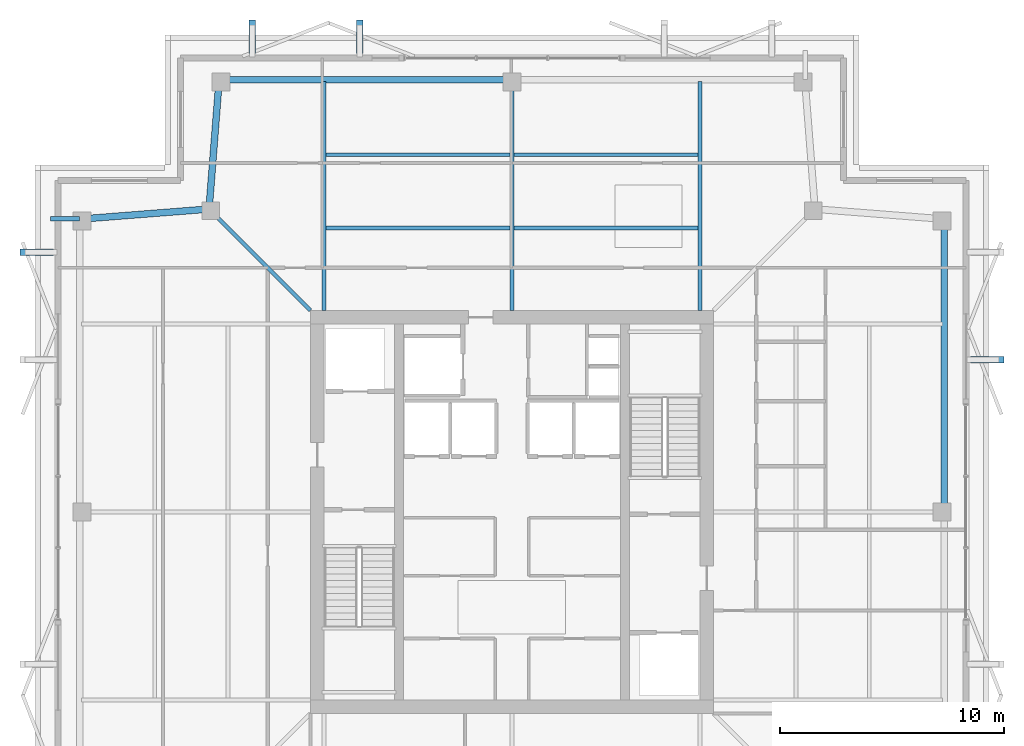
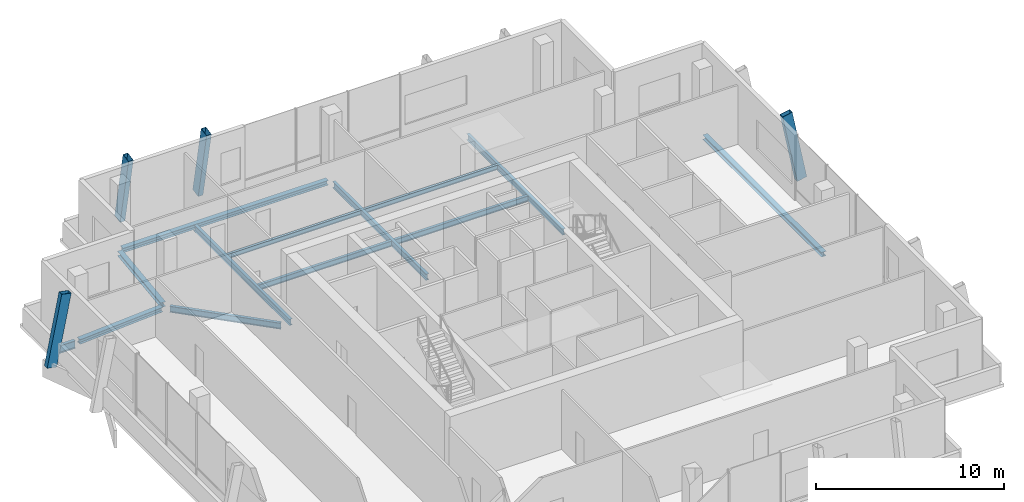
# One storey, part 9 of 17: 13 beams, 4 members.
"""IFC4 building model written with IfcOpenShell, lengths in metres."""

from ifc_helpers import new_model, si_unit, direction, frame, origin, origin_2d, place, context, subcontext, project, spatial, hollow_rectangle, i_section, extrude, material, material_profile, profile_set, type_object, element, save


model = new_model("IFC4")

# Units and contexts
model_context = context("Model", 3, precision=1e-05, world=origin(), true_north=direction((0.0, 1.0)))
body_context = subcontext(model_context, "Body", "Model", "MODEL_VIEW")
ifc_project = project(units=[si_unit("LENGTHUNIT", "METRE"), si_unit("AREAUNIT", "SQUARE_METRE"), si_unit("VOLUMEUNIT", "CUBIC_METRE"), si_unit("PLANEANGLEUNIT", "RADIAN"), si_unit("MASSUNIT", "GRAM", prefix="KILO")], contexts=[model_context])

# Site, building, storey
site_placement = place(None, origin())
site = spatial("IfcSite", under=ifc_project, at=site_placement, CompositionType="ELEMENT")
building_placement = place(site_placement, origin())
building = spatial("IfcBuilding", under=site, at=building_placement, Name="Belovzor Exchange Tower", CompositionType="ELEMENT")
storey_placement = place(building_placement, frame((0.0, 0.0, 355.5)))
storey = spatial("IfcBuildingStorey", under=building, at=storey_placement, Name="L89", CompositionType="ELEMENT", Elevation=355.5)

# Beams
ifc_material_1 = material(Name="Steel S355", Category="steel")
ifc_material_profile_1 = material_profile(ifc_material_1, i_section(OverallWidth=0.199951171875, OverallDepth=0.5, WebThickness=0.01025390625, FlangeThickness=0.01611328125, at=origin_2d()))
ifc_profile_set_1 = profile_set([ifc_material_profile_1], Name="Steel S355")
beam_type_1 = type_object("IfcBeamType", Name="Planted Balcony Cantilever Beam IPE 500", PredefinedType="BEAM", material=ifc_profile_set_1)
beam_1_placement = place(storey_placement, frame((9.47802734375, 41.89501953125, -0.510009765625), z_axis=(-1.0, 0.0, 0.0), x_axis=(0.0, -1.0, 0.0)))
element("IfcBeam", 1, at=beam_1_placement, inside=storey, type_object=beam_type_1, Name="BC-500 Planted Balcony Cantilever Beam IPE 500", PredefinedType="BEAM", context=body_context, shape_type="SweptSolid", body=[
    extrude(i_section(OverallWidth=0.199951171875, OverallDepth=0.5, WebThickness=0.01025390625, FlangeThickness=0.01611328125, at=origin_2d()), origin(), (0.0, 0.0, 1.0), 1.278076171875),
])
ifc_material_2 = material(Name="Steel S355", Category="steel")
ifc_material_profile_2 = material_profile(ifc_material_2, i_section(OverallWidth=0.169921875, OverallDepth=0.360107421875, WebThickness=0.008056640625, FlangeThickness=0.0126953125, at=origin_2d()))
ifc_profile_set_2 = profile_set([ifc_material_profile_2], Name="Steel S355")
beam_type_2 = type_object("IfcBeamType", Name="Secondary Infill Floor Joist IPE 360", PredefinedType="BEAM", material=ifc_profile_set_2)
beam_2_placement = place(storey_placement, frame((20.489990234375, 41.47998046875, -0.43994140625), z_axis=(1.0, 0.0, 0.0), x_axis=(0.0, 1.0, 0.0)))
element("IfcBeam", 2, at=beam_2_placement, inside=storey, type_object=beam_type_2, Name="FJ-360 Secondary Infill Floor Joist IPE 360", PredefinedType="BEAM", context=body_context, shape_type="SweptSolid", body=[
    extrude(i_section(OverallWidth=0.169921875, OverallDepth=0.360107421875, WebThickness=0.008056640625, FlangeThickness=0.0126953125, at=origin_2d()), origin(), (0.0, 0.0, 1.0), 8.219970703125),
])
beam_3_placement = place(storey_placement, frame((28.889892578125, 41.47998046875, -0.43994140625), z_axis=(1.0, 0.0, 0.0), x_axis=(0.0, 1.0, 0.0)))
element("IfcBeam", 3, at=beam_3_placement, inside=storey, type_object=beam_type_2, Name="FJ-360 Secondary Infill Floor Joist IPE 360", PredefinedType="BEAM", context=body_context, shape_type="SweptSolid", body=[
    extrude(i_section(OverallWidth=0.169921875, OverallDepth=0.360107421875, WebThickness=0.008056640625, FlangeThickness=0.0126953125, at=origin_2d()), origin(), (0.0, 0.0, 1.0), 8.22021484375),
])
ifc_material_3 = material(Name="Steel S355", Category="steel")
ifc_material_profile_3 = material_profile(ifc_material_3, i_section(OverallWidth=0.14990234375, OverallDepth=0.300048828125, WebThickness=0.007080078125, FlangeThickness=0.0107421875, at=origin_2d()))
ifc_profile_set_3 = profile_set([ifc_material_profile_3], Name="Steel S355")
beam_type_3 = type_object("IfcBeamType", Name="Secondary Trim Floor Joist IPE 300", PredefinedType="BEAM", material=ifc_profile_set_3)
beam_4_placement = place(storey_placement, frame((20.489990234375, 44.751953125, -0.409912109375), z_axis=(1.0, 0.0, 0.0), x_axis=(0.0, 1.0, 0.0)))
element("IfcBeam", 4, at=beam_4_placement, inside=storey, type_object=beam_type_3, Name="FJ-300 Secondary Trim Floor Joist IPE 300", PredefinedType="BEAM", context=body_context, shape_type="SweptSolid", body=[
    extrude(i_section(OverallWidth=0.14990234375, OverallDepth=0.300048828125, WebThickness=0.007080078125, FlangeThickness=0.0107421875, at=origin_2d()), origin(), (0.0, 0.0, 1.0), 8.219970703125),
])
beam_5_placement = place(storey_placement, frame((28.889892578125, 44.751953125, -0.409912109375), z_axis=(1.0, 0.0, 0.0), x_axis=(0.0, 1.0, 0.0)))
element("IfcBeam", 5, at=beam_5_placement, inside=storey, type_object=beam_type_3, Name="FJ-300 Secondary Trim Floor Joist IPE 300", PredefinedType="BEAM", context=body_context, shape_type="SweptSolid", body=[
    extrude(i_section(OverallWidth=0.14990234375, OverallDepth=0.300048828125, WebThickness=0.007080078125, FlangeThickness=0.0107421875, at=origin_2d()), origin(), (0.0, 0.0, 1.0), 8.22021484375),
])

# Members
ifc_material_4 = material(Name="Extruded Architectural Terracotta on Steel S355 Carrier", Category="masonry")
ifc_material_profile_4 = material_profile(ifc_material_4, hollow_rectangle(XDim=0.300048828125, YDim=0.60009765625, WallThickness=0.01611328125, at=origin_2d()))
ifc_profile_set_4 = profile_set([ifc_material_profile_4], Name="Extruded Architectural Terracotta on Steel S355 Carrier")
member_type = type_object("IfcMemberType", Name="Upper Crown Terracotta Fin Assembly 550", PredefinedType="USERDEFINED", material=ifc_profile_set_4)
for number, where, z_axis, x_axis, name in (
    (6, (17.199951171875, 50.47509765625, -0.260009765625), (0.0, -0.196146827104, 0.980574536798), (1.0, 0.0, 0.0), "FIN-TC055 Terracotta Facade Fin L89 N1"),
    (7, (22.0, 50.47509765625, -0.260009765625), (0.0, -0.196146827104, 0.980574536798), (1.0, 0.0, 0.0), "FIN-TC055 Terracotta Facade Fin L89 N2"),
    (8, (50.47509765625, 35.60009765625, -0.260009765625), (-0.196146827104, 0.0, 0.980574536798), (0.0, -1.0, 0.0), "FIN-TC055 Terracotta Facade Fin L89 E3"),
    (9, (7.125, 40.39990234375, -0.260009765625), (0.196095673508, 0.0, 0.980584767795), (0.0, 1.0, 0.0), "FIN-TC055 Terracotta Facade Fin L89 W4"),
):
    element("IfcMember", number, at=place(storey_placement, frame(where, z_axis=z_axis, x_axis=x_axis)), inside=storey, type_object=member_type, Name=name, ObjectType="FIN", PredefinedType="USERDEFINED", context=body_context, shape_type="SweptSolid", body=[
        extrude(hollow_rectangle(XDim=0.300048828125, YDim=0.60009765625, WallThickness=0.01611328125, at=origin_2d()), origin(), (0.0, 0.0, 1.0), 4.589111328125),
    ])

# Beams
ifc_material_5 = material(Name="Steel S355", Category="steel")
ifc_material_profile_5 = material_profile(ifc_material_5, i_section(OverallWidth=0.179931640625, OverallDepth=0.39990234375, WebThickness=0.008544921875, FlangeThickness=0.013427734375, at=origin_2d()))
ifc_profile_set_5 = profile_set([ifc_material_profile_5], Name="Steel S355")
beam_type_4 = type_object("IfcBeamType", Name="Zone 5-6 Radial Composite Floor Beam IPE 400", PredefinedType="BEAM", material=ifc_profile_set_5)
beam_6_placement = place(storey_placement, frame((20.39990234375, 37.800048828125, -0.4599609375), z_axis=(0.0, 1.0, 0.0), x_axis=(-1.0, 0.0, 0.0)))
element("IfcBeam", 10, at=beam_6_placement, inside=storey, type_object=beam_type_4, Name="FB-400 Zone 5-6 Radial Composite Floor Beam IPE 400", PredefinedType="BEAM", context=body_context, shape_type="SweptSolid", body=[
    extrude(i_section(OverallWidth=0.179931640625, OverallDepth=0.39990234375, WebThickness=0.008544921875, FlangeThickness=0.013427734375, at=origin_2d()), origin(), (0.0, 0.0, 1.0), 10.222900390625),
])
beam_7_placement = place(storey_placement, frame((28.800048828125, 37.800048828125, -0.4599609375), z_axis=(0.0, 1.0, 0.0), x_axis=(-1.0, 0.0, 0.0)))
element("IfcBeam", 11, at=beam_7_placement, inside=storey, type_object=beam_type_4, Name="FB-400 Zone 5-6 Radial Composite Floor Beam IPE 400", PredefinedType="BEAM", context=body_context, shape_type="SweptSolid", body=[
    extrude(i_section(OverallWidth=0.179931640625, OverallDepth=0.39990234375, WebThickness=0.008544921875, FlangeThickness=0.013427734375, at=origin_2d()), origin(), (0.0, 0.0, 1.0), 9.9580078125),
])
beam_8_placement = place(storey_placement, frame((37.199951171875, 37.800048828125, -0.4599609375), z_axis=(0.0, 1.0, 0.0), x_axis=(-1.0, 0.0, 0.0)))
element("IfcBeam", 12, at=beam_8_placement, inside=storey, type_object=beam_type_4, Name="FB-400 Zone 5-6 Radial Composite Floor Beam IPE 400", PredefinedType="BEAM", context=body_context, shape_type="SweptSolid", body=[
    extrude(i_section(OverallWidth=0.179931640625, OverallDepth=0.39990234375, WebThickness=0.008544921875, FlangeThickness=0.013427734375, at=origin_2d()), origin(), (0.0, 0.0, 1.0), 10.222900390625),
])
beam_9_placement = place(storey_placement, frame((19.800048828125, 37.800048828125, -0.4599609375), z_axis=(-0.707126729188, 0.707086832622, 0.0), x_axis=(-0.707086832622, -0.707126729188, 0.0)))
element("IfcBeam", 13, at=beam_9_placement, inside=storey, type_object=beam_type_4, Name="FB-400 Zone 5-6 Radial Composite Floor Beam IPE 400", PredefinedType="BEAM", context=body_context, shape_type="SweptSolid", body=[
    extrude(i_section(OverallWidth=0.179931640625, OverallDepth=0.39990234375, WebThickness=0.008544921875, FlangeThickness=0.013427734375, at=origin_2d()), origin(), (0.0, 0.0, 1.0), 6.119384765625),
])
ifc_material_6 = material(Name="Steel S355", Category="steel")
ifc_material_profile_6 = material_profile(ifc_material_6, i_section(OverallWidth=0.300048828125, OverallDepth=0.300048828125, WebThickness=0.008544921875, FlangeThickness=0.013916015625, at=origin_2d()))
ifc_profile_set_6 = profile_set([ifc_material_profile_6], Name="Steel S355")
beam_type_5 = type_object("IfcBeamType", Name="Zone 6 Primary Girder HEA 300", PredefinedType="BEAM", material=ifc_profile_set_6)
for number, where, z_axis, x_axis, name in (
    (14, (48.097900390625, 29.02001953125, -0.409912109375), (0.0, 1.0, 0.0), (-1.0, 0.0, 0.0), "FG-Z6 Zone 6 Primary Girder HEA 300"),
    (15, (28.580078125, 48.097900390625, -0.409912109375), (-1.0, 0.0, 0.0), (0.0, -1.0, 0.0), "FG-Z6 Zone 6 Primary Girder HEA 300"),
):
    element("IfcBeam", number, at=place(storey_placement, frame(where, z_axis=z_axis, x_axis=x_axis)), inside=storey, type_object=beam_type_5, Name=name, PredefinedType="BEAM", context=body_context, shape_type="SweptSolid", body=[
        extrude(i_section(OverallWidth=0.300048828125, OverallDepth=0.300048828125, WebThickness=0.008544921875, FlangeThickness=0.013916015625, at=origin_2d()), origin(), (0.0, 0.0, 1.0), 12.636962890625),
    ])
for number, where, z_axis, x_axis, name in (
    (16, (15.7060546875, 47.87890625, -0.409912109375), (-0.077771422465, -0.996971216158, 0.0), (0.996971216158, -0.077771422465, 0.0), "FG-Z6 Zone 6 Primary Girder HEA 300"),
    (17, (15.053955078125, 42.31005859375, -0.409912109375), (-0.996971216158, -0.077771422465, 0.0), (0.077771422465, -0.996971216158, 0.0), "FG-Z6 Zone 6 Primary Girder HEA 300"),
):
    element("IfcBeam", number, at=place(storey_placement, frame(where, z_axis=z_axis, x_axis=x_axis)), inside=storey, type_object=beam_type_5, Name=name, PredefinedType="BEAM", context=body_context, shape_type="SweptSolid", body=[
        extrude(i_section(OverallWidth=0.300048828125, OverallDepth=0.300048828125, WebThickness=0.008544921875, FlangeThickness=0.013916015625, at=origin_2d()), origin(), (0.0, 0.0, 1.0), 5.34912109375),
    ])

save(model, "model.ifc")
